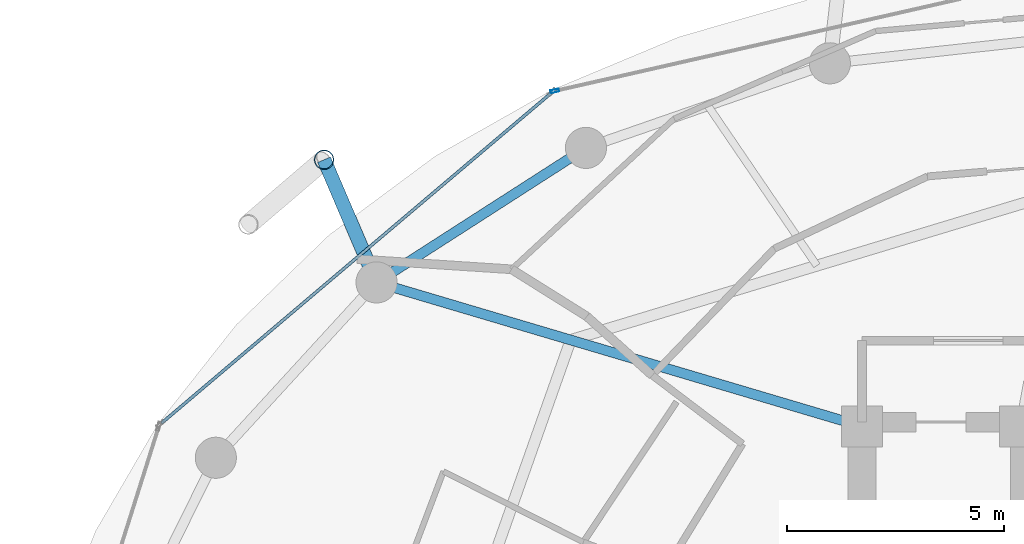
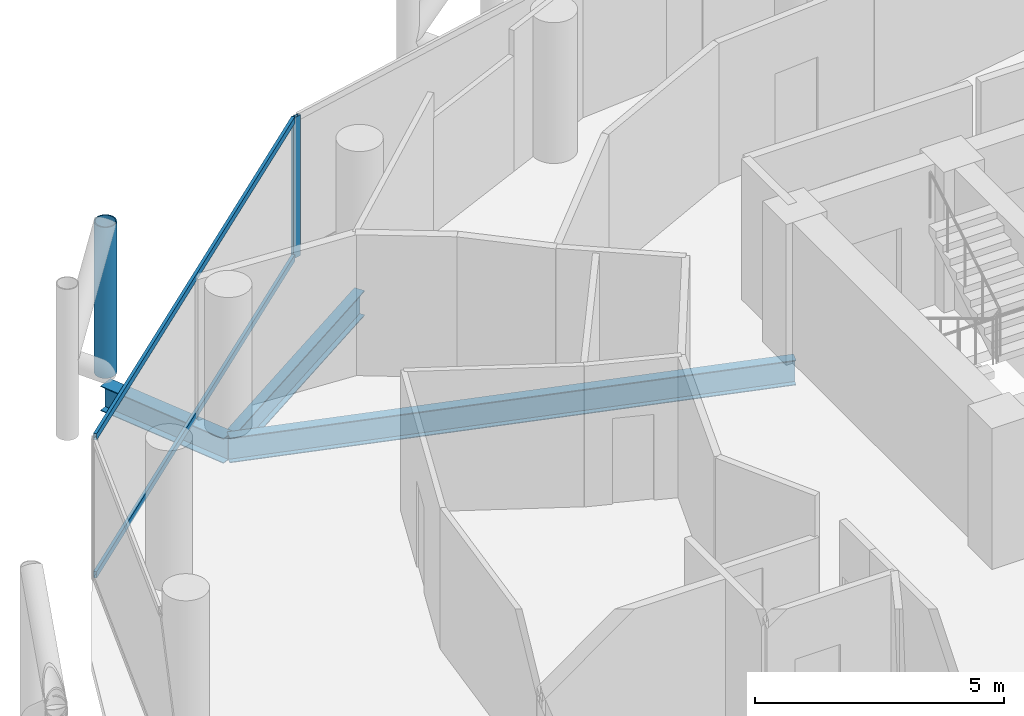
# One storey, part 14 of 26: 4 members, 3 beams, 2 elements without a shape of their own.
"""IFC4 building model written with IfcOpenShell, lengths in metres."""

from ifc_helpers import new_model, si_unit, direction, frame, origin, origin_2d, place, context, subcontext, project, spatial, hollow_rectangle, hollow_circle, i_section, extrude, material, layer, layer_set, material_profile, profile_set, type_object, element, aggregate, save


model = new_model("IFC4")

# Units and contexts
model_context = context("Model", 3, precision=1e-05, world=origin(), true_north=direction((0.0, 1.0)))
body_context = subcontext(model_context, "Body", "Model", "MODEL_VIEW")
ifc_project = project(units=[si_unit("LENGTHUNIT", "METRE"), si_unit("AREAUNIT", "SQUARE_METRE"), si_unit("VOLUMEUNIT", "CUBIC_METRE"), si_unit("PLANEANGLEUNIT", "RADIAN"), si_unit("MASSUNIT", "GRAM", prefix="KILO")], contexts=[model_context])

# Site, building, storey
site_placement = place(None, origin())
site = spatial("IfcSite", under=ifc_project, at=site_placement, CompositionType="ELEMENT")
building_placement = place(site_placement, origin())
building = spatial("IfcBuilding", under=site, at=building_placement, Name="Nuhasar Tower", CompositionType="ELEMENT")
storey_placement = place(building_placement, frame((0.0, 0.0, 166.35009765625)))
storey = spatial("IfcBuildingStorey", under=building, at=storey_placement, Name="L40", CompositionType="ELEMENT", Elevation=166.35009765625)

# Beams
ifc_material_1 = material(Name="Steel S355", Category="steel")
ifc_material_profile_1 = material_profile(ifc_material_1, i_section(OverallWidth=0.22900390625, OverallDepth=0.612060546875, WebThickness=0.011962890625, FlangeThickness=0.01953125, at=origin_2d()), Name="W24X84")
ifc_profile_set_1 = profile_set([ifc_material_profile_1], Name="Steel S355")
beam_type_1 = type_object("IfcBeamType", Name="BM-RAD-W24X84", PredefinedType="BEAM", material=ifc_profile_set_1)
beam_1_placement = place(storey_placement, frame((33.699951171875, 37.300048828125, -0.55615234375), z_axis=(-0.958746492721, 0.284262489076, 0.0), x_axis=(-0.284262489076, -0.958746492721, 0.0)))
element("IfcBeam", 1, at=beam_1_placement, inside=storey, type_object=beam_type_1, Name="L40 Radial Floor Girder 07", PredefinedType="BEAM", context=body_context, shape_type="SweptSolid", body=[
    extrude(i_section(OverallWidth=0.22900390625, OverallDepth=0.612060546875, WebThickness=0.011962890625, FlangeThickness=0.01953125, at=origin_2d()), origin(), (0.0, 0.0, 1.0), 11.693359375),
])
ifc_material_profile_2 = material_profile(ifc_material_1, i_section(OverallWidth=0.22998046875, OverallDepth=0.616943359375, WebThickness=0.01318359375, FlangeThickness=0.022216796875, at=origin_2d()), Name="W24X94")
ifc_profile_set_2 = profile_set([ifc_material_profile_2], Name="Steel S355")
beam_type_2 = type_object("IfcBeamType", Name="BM-RING-W24X94", PredefinedType="SPANDREL", material=ifc_profile_set_2)
beam_2_placement = place(storey_placement, frame((27.324951171875, 43.73095703125, -0.55908203125), z_axis=(-0.841327486207, -0.540525726448, 0.0), x_axis=(0.540525726448, -0.841327486207, 0.0)))
element("IfcBeam", 2, at=beam_2_placement, inside=storey, type_object=beam_type_2, Name="L40 Perimeter Ring Spandrel 09", PredefinedType="SPANDREL", context=body_context, shape_type="SweptSolid", body=[
    extrude(i_section(OverallWidth=0.22998046875, OverallDepth=0.616943359375, WebThickness=0.01318359375, FlangeThickness=0.022216796875, at=origin_2d()), origin(), (0.0, 0.0, 1.0), 5.748046875),
])
ifc_material_profile_3 = material_profile(ifc_material_1, i_section(OverallWidth=0.323974609375, OverallDepth=0.611083984375, WebThickness=0.0126953125, FlangeThickness=0.01904296875, at=origin_2d()), Name="W24X104")
ifc_profile_set_3 = profile_set([ifc_material_profile_3], Name="Steel S355")
beam_type_3 = type_object("IfcBeamType", Name="BM-TIE-W24X104", PredefinedType="BEAM", material=ifc_profile_set_3)
beam_3_placement = place(storey_placement, frame((22.489013671875, 40.6240234375, -0.55615234375), z_axis=(-0.39330721304, 0.919407111225, 0.0), x_axis=(-0.919407111225, -0.39330721304, 0.0)))
element("IfcBeam", 3, at=beam_3_placement, inside=storey, type_object=beam_type_3, Name="L40 Exoskeleton Node Tie Beam 05", PredefinedType="BEAM", context=body_context, shape_type="SweptSolid", body=[
    extrude(i_section(OverallWidth=0.323974609375, OverallDepth=0.611083984375, WebThickness=0.0126953125, FlangeThickness=0.01904296875, at=origin_2d()), origin(), (0.0, 0.0, 1.0), 3.081298828125),
])

# Curtain wall, member
ifc_material_2 = material(Name="Aluminium 6063-T6", Category="aluminium")
ifc_layer = layer(ifc_material_2, 0.199951171875)
ifc_layer_set = layer_set([ifc_layer], Name="Aluminium 6063-T6")
curtain_wall_type = type_object("IfcCurtainWallType", Name="CW-Z2-HTL", PredefinedType="NOTDEFINED", material=ifc_layer_set)
curtain_wall_1_placement = place(storey_placement, origin())
curtain_wall_1 = element("IfcCurtainWall", 4, at=curtain_wall_1_placement, inside=storey, type_object=curtain_wall_type, Name="L40 Unitised Curtain Wall 04", PredefinedType="NOTDEFINED")
ifc_material_profile_4 = material_profile(ifc_material_2, hollow_rectangle(XDim=0.070068359375, YDim=0.199951171875, WallThickness=0.0048828125, at=origin_2d()), Name="CWM-3")
ifc_profile_set_4 = profile_set([ifc_material_profile_4], Name="Aluminium 6063-T6")
member_type_1 = type_object("IfcMemberType", Name="CW-MUL-S3", PredefinedType="MULLION", material=ifc_profile_set_4)
member_1_placement = place(storey_placement, frame((26.604248046875, 45.045654296875, 0.0), z_axis=(0.0, 0.0, 1.0), x_axis=(0.22139729566, -0.975183694221, 0.0)))
member_1 = element("IfcMember", 5, at=member_1_placement, type_object=member_type_1, Name="CW-Z2 mullion 2", PredefinedType="MULLION", context=body_context, shape_type="SweptSolid", body=[
    extrude(hollow_rectangle(XDim=0.070068359375, YDim=0.199951171875, WallThickness=0.0048828125, at=origin_2d()), origin(), (0.0, 0.0, 1.0), 3.449951171875),
])
aggregate(curtain_wall_1, [member_1])

# Curtain wall, members
curtain_wall_2_placement = place(storey_placement, origin())
curtain_wall_2 = element("IfcCurtainWall", 6, at=curtain_wall_2_placement, inside=storey, type_object=curtain_wall_type, Name="L40 Unitised Curtain Wall 05", PredefinedType="NOTDEFINED")
ifc_material_profile_5 = material_profile(ifc_material_2, hollow_rectangle(XDim=0.070068359375, YDim=0.159912109375, WallThickness=0.00439453125, at=origin_2d()), Name="CWT-3")
ifc_profile_set_5 = profile_set([ifc_material_profile_5], Name="Aluminium 6063-T6")
member_type_2 = type_object("IfcMemberType", Name="CW-TRN-S3", PredefinedType="USERDEFINED", material=ifc_profile_set_5)
member_2_placement = place(storey_placement, frame((26.5166015625, 44.99267578125, 0.034912109375), z_axis=(-0.763023915269, -0.646370253592, 0.0), x_axis=(0.646370253592, -0.763023915269, 0.0)))
member_2 = element("IfcMember", 7, at=member_2_placement, type_object=member_type_2, Name="CW-Z2 transom 1.1", ObjectType="TRANSOM", PredefinedType="USERDEFINED", context=body_context, shape_type="SweptSolid", body=[
    extrude(hollow_rectangle(XDim=0.070068359375, YDim=0.159912109375, WallThickness=0.00439453125, at=origin_2d()), origin(), (0.0, 0.0, 1.0), 11.784912109375),
])
member_3_placement = place(storey_placement, frame((26.5166015625, 44.99267578125, 3.414794921875), z_axis=(-0.763023915269, -0.646370253592, 0.0), x_axis=(0.646370253592, -0.763023915269, 0.0)))
member_3 = element("IfcMember", 8, at=member_3_placement, type_object=member_type_2, Name="CW-Z2 transom 1.2", ObjectType="TRANSOM", PredefinedType="USERDEFINED", context=body_context, shape_type="SweptSolid", body=[
    extrude(hollow_rectangle(XDim=0.070068359375, YDim=0.159912109375, WallThickness=0.00439453125, at=origin_2d()), origin(), (0.0, 0.0, 1.0), 11.784912109375),
])
aggregate(curtain_wall_2, [member_2, member_3])

# Member
ifc_material_3 = material(Name="Steel S460", Category="steel")
ifc_material_profile_6 = material_profile(ifc_material_3, hollow_circle(Radius=0.228515625, WallThickness=0.022216796875, at=origin_2d()), Name="HSS457X22.2")
ifc_profile_set_6 = profile_set([ifc_material_profile_6], Name="Steel S460")
member_type_3 = type_object("IfcMemberType", Name="EXO-BRONZE-457", PredefinedType="BRACE", material=ifc_profile_set_6)
member_4_placement = place(storey_placement, frame((21.277099609375, 43.45703125, 0.0), z_axis=(0.0, 0.0, 1.0), x_axis=(1.0, 0.0, 0.0)))
element("IfcMember", 9, at=member_4_placement, inside=storey, type_object=member_type_3, Name="L40 Exoskeleton Chord Column EC-05A", PredefinedType="BRACE", context=body_context, shape_type="SweptSolid", body=[
    extrude(hollow_circle(Radius=0.228515625, WallThickness=0.022216796875, at=origin_2d()), origin(), (0.0, 0.0, 1.0), 3.699951171875),
])

save(model, "model.ifc")
